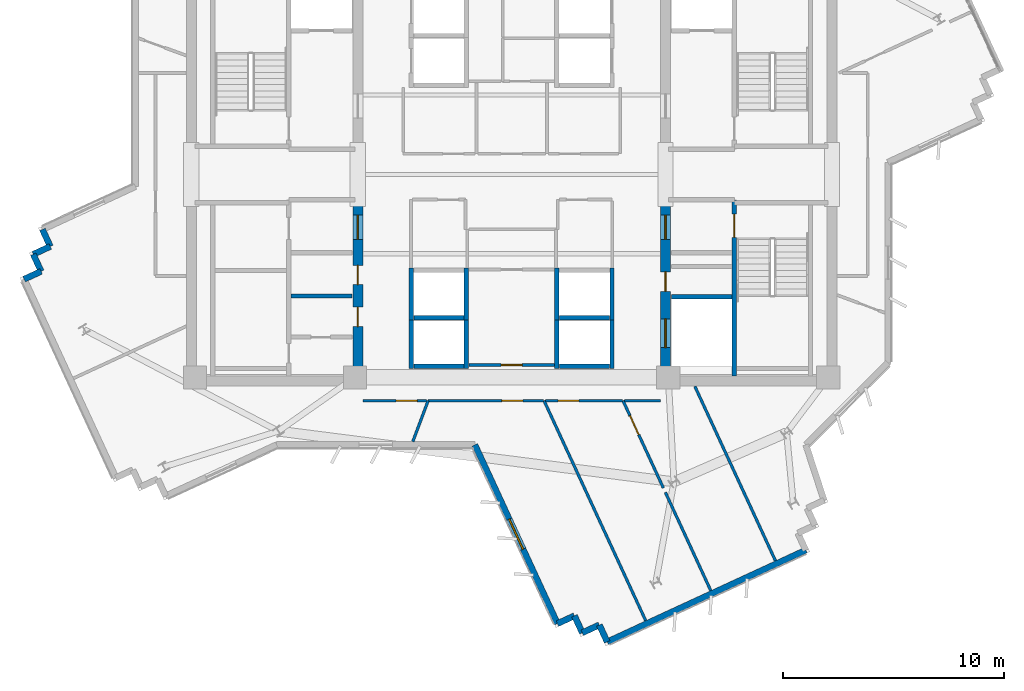
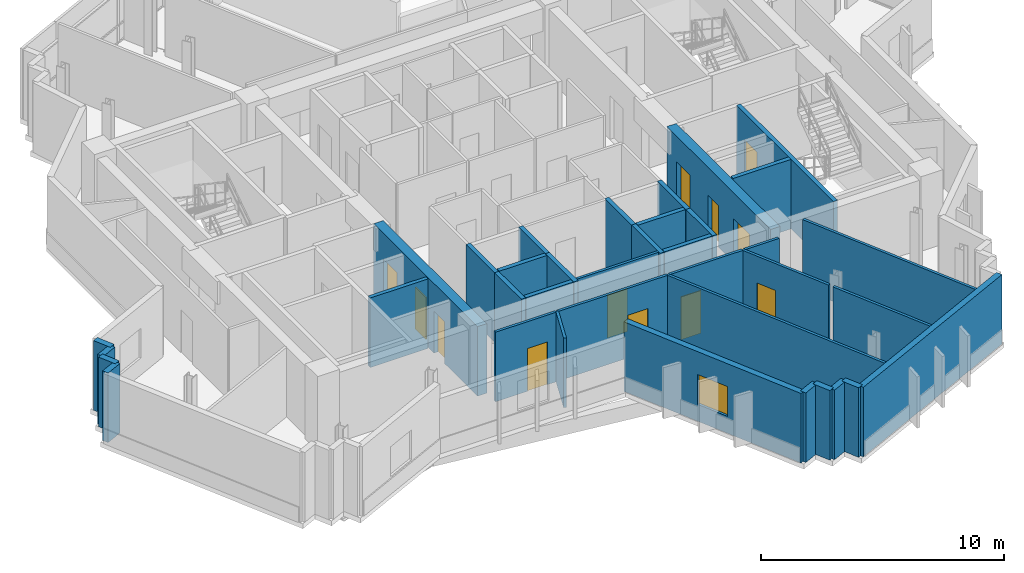
# One storey, part 5 of 12: 37 walls, 12 doors, 1 window, 13 openings.
"""IFC4 building model written with IfcOpenShell, lengths in metres."""

from ifc_helpers import new_model, si_unit, direction, frame, frame_2d, origin, place, context, subcontext, project, spatial, rectangle, extrude, source, transform, mapped, material, layer, layer_set, type_object, element, fill, save


model = new_model("IFC4")

# Units and contexts
model_context = context("Model", 3, precision=1e-05, world=origin(), true_north=direction((0.0, 1.0)))
body_context = subcontext(model_context, "Body", "Model", "MODEL_VIEW")
ifc_project = project(units=[si_unit("LENGTHUNIT", "METRE"), si_unit("AREAUNIT", "SQUARE_METRE"), si_unit("VOLUMEUNIT", "CUBIC_METRE"), si_unit("PLANEANGLEUNIT", "RADIAN"), si_unit("MASSUNIT", "GRAM", prefix="KILO")], contexts=[model_context])

# Site, building, storey
site_placement = place(None, origin())
site = spatial("IfcSite", under=ifc_project, at=site_placement, CompositionType="ELEMENT")
building_placement = place(site_placement, origin())
building = spatial("IfcBuilding", under=site, at=building_placement, Name="Zahravan Cultural Tower", CompositionType="ELEMENT")
storey_placement = place(building_placement, frame((0.0, 0.0, 239.10009765625)))
storey = spatial("IfcBuildingStorey", under=building, at=storey_placement, Name="L56", CompositionType="ELEMENT", Elevation=239.10009765625)

# Wall, openings, doors
ifc_material_1 = material(Name="Concrete C50/60", Category="concrete")
ifc_layer_1 = layer(ifc_material_1, 0.449951171875)
ifc_layer_set_1 = layer_set([ifc_layer_1], Name="Concrete C50/60")
wall_type_1 = type_object("IfcWallType", Name="CW-SHEAR-450-C50", PredefinedType="SHEAR", material=ifc_layer_set_1)
wall_1_placement = place(storey_placement, frame((29.02490234375, 17.39990234375, 0.0), z_axis=(0.0, 0.0, 1.0), x_axis=(0.0, 1.0, 0.0)))
wall_1 = element("IfcWall", 1, at=wall_1_placement, inside=storey, type_object=wall_type_1, Name="L56 Core Shear Wall CW-W-ES-L56", PredefinedType="SHEAR", context=body_context, shape_type="SweptSolid", body=[
    extrude(rectangle(XDim=8.550048828125, YDim=0.449951171875, at=frame_2d((4.27490234375, 0.0))), origin(), (0.0, 0.0, 1.0), 3.5),
])
opening_1_placement = place(wall_1_placement, frame((6.64990234375, 0.0, 0.0)))
opening_1 = element("IfcOpeningElement", 2, at=opening_1_placement, cuts=wall_1, Name="Opening D-L56-08", PredefinedType="OPENING", context=body_context, shape_type="SweptSolid", body=[
    extrude(rectangle(XDim=1.10009765625, YDim=2.199951171875, at=frame_2d((0.550048828125, 1.10009765625))), frame((0.0, 0.23486328125, 0.0), z_axis=(0.0, -1.0, 0.0), x_axis=(1.0, 0.0, 0.0)), (0.0, 0.0, 1.0), 0.469970703125),
])
opening_2_placement = place(wall_1_placement, frame((2.699951171875, 0.0, 0.0)))
opening_2 = element("IfcOpeningElement", 3, at=opening_2_placement, cuts=wall_1, Name="Opening D-L56-11", PredefinedType="OPENING", context=body_context, shape_type="SweptSolid", body=[
    extrude(rectangle(XDim=0.8798828125, YDim=2.10009765625, at=frame_2d((0.43994140625, 1.050048828125))), frame((0.0, 0.23486328125, 0.0), z_axis=(0.0, -1.0, 0.0), x_axis=(1.0, 0.0, 0.0)), (0.0, 0.0, 1.0), 0.469970703125),
])
opening_3_placement = place(wall_1_placement, frame((4.60009765625, 0.0, 0.0)))
opening_3 = element("IfcOpeningElement", 4, at=opening_3_placement, cuts=wall_1, Name="Opening D-L56-12", PredefinedType="OPENING", context=body_context, shape_type="SweptSolid", body=[
    extrude(rectangle(XDim=0.8798828125, YDim=2.10009765625, at=frame_2d((0.43994140625, 1.050048828125))), frame((0.0, 0.23486328125, 0.0), z_axis=(0.0, -1.0, 0.0), x_axis=(1.0, 0.0, 0.0)), (0.0, 0.0, 1.0), 0.469970703125),
])
ifc_material_2 = material(Name="Steel ASTM A572 Grade 50", Category="steel")
door_type_1 = type_object("IfcDoorType", Name="DR-LOBBY-1100", OperationType="NOTDEFINED", PredefinedType="DOOR", material=ifc_material_2)
shared_shape_1 = source(origin(), body_context, "Body", "SweptSolid", [
    extrude(rectangle(XDim=1.10009765625, YDim=2.199951171875, at=frame_2d((0.550048828125, 1.10009765625))), frame((0.0, 0.02490234375, 0.0), z_axis=(0.0, -1.0, 0.0), x_axis=(1.0, 0.0, 0.0)), (0.0, 0.0, 1.0), 0.050048828125),
])
door_1_placement = place(opening_1_placement, origin())
door_1 = element("IfcDoor", 5, at=door_1_placement, inside=storey, type_object=door_type_1, Name="L56 Door D-L56-08", OperationType="SINGLE_SWING_LEFT", OverallHeight=2.199951171875, OverallWidth=1.10009765625, PredefinedType="DOOR", context=body_context, shape_type="MappedRepresentation", body=[
    mapped(shared_shape_1, transform((0.0, 0.0, 0.0), x_axis=(1.0, 0.0, 0.0), y_axis=(0.0, 1.0, 0.0), z_axis=(0.0, 0.0, 1.0), scale=1.0)),
])
fill(opening_1, door_1)
door_type_2 = type_object("IfcDoorType", Name="DR-SVC-880", OperationType="NOTDEFINED", PredefinedType="DOOR", material=ifc_material_2)
shared_shape_2 = source(origin(), body_context, "Body", "SweptSolid", [
    extrude(rectangle(XDim=0.8798828125, YDim=2.10009765625, at=frame_2d((0.43994140625, 1.050048828125))), frame((0.0, 0.02490234375, 0.0), z_axis=(0.0, -1.0, 0.0), x_axis=(1.0, 0.0, 0.0)), (0.0, 0.0, 1.0), 0.050048828125),
])
door_2_placement = place(opening_2_placement, origin())
door_2 = element("IfcDoor", 6, at=door_2_placement, inside=storey, type_object=door_type_2, Name="L56 Door D-L56-11", OperationType="SINGLE_SWING_RIGHT", OverallHeight=2.10009765625, OverallWidth=0.8798828125, PredefinedType="DOOR", context=body_context, shape_type="MappedRepresentation", body=[
    mapped(shared_shape_2, transform((0.0, 0.0, 0.0), x_axis=(1.0, 0.0, 0.0), y_axis=(0.0, 1.0, 0.0), z_axis=(0.0, 0.0, 1.0), scale=1.0)),
])
fill(opening_2, door_2)
door_3_placement = place(opening_3_placement, origin())
door_3 = element("IfcDoor", 7, at=door_3_placement, inside=storey, type_object=door_type_2, Name="L56 Door D-L56-12", OperationType="SINGLE_SWING_LEFT", OverallHeight=2.10009765625, OverallWidth=0.8798828125, PredefinedType="DOOR", context=body_context, shape_type="MappedRepresentation", body=[
    mapped(shared_shape_2, transform((0.0, 0.0, 0.0), x_axis=(1.0, 0.0, 0.0), y_axis=(0.0, 1.0, 0.0), z_axis=(0.0, 0.0, 1.0), scale=1.0)),
])
fill(opening_3, door_3)

wall_2_placement = place(storey_placement, frame((42.97509765625, 17.39990234375, 0.0), z_axis=(0.0, 0.0, 1.0), x_axis=(0.0, 1.0, 0.0)))
wall_2 = element("IfcWall", 8, at=wall_2_placement, inside=storey, type_object=wall_type_1, Name="L56 Core Shear Wall CW-E-WS-L56", PredefinedType="SHEAR", context=body_context, shape_type="SweptSolid", body=[
    extrude(rectangle(XDim=8.550048828125, YDim=0.449951171875, at=frame_2d((4.27490234375, 0.0))), origin(), (0.0, 0.0, 1.0), 3.5),
])
opening_4_placement = place(wall_2_placement, frame((6.64990234375, 0.0, 0.0)))
opening_4 = element("IfcOpeningElement", 9, at=opening_4_placement, cuts=wall_2, Name="Opening D-L56-09", PredefinedType="OPENING", context=body_context, shape_type="SweptSolid", body=[
    extrude(rectangle(XDim=1.10009765625, YDim=2.199951171875, at=frame_2d((0.550048828125, 1.10009765625))), frame((0.0, 0.23486328125, 0.0), z_axis=(0.0, -1.0, 0.0), x_axis=(1.0, 0.0, 0.0)), (0.0, 0.0, 1.0), 0.469970703125),
])
opening_5_placement = place(wall_2_placement, frame((1.75, 0.0, 0.0)))
opening_5 = element("IfcOpeningElement", 10, at=opening_5_placement, cuts=wall_2, Name="Opening LD-L56-03", PredefinedType="OPENING", context=body_context, shape_type="SweptSolid", body=[
    extrude(rectangle(XDim=1.300048828125, YDim=2.199951171875, at=frame_2d((0.64990234375, 1.10009765625))), frame((0.0, 0.23486328125, 0.0), z_axis=(0.0, -1.0, 0.0), x_axis=(1.0, 0.0, 0.0)), (0.0, 0.0, 1.0), 0.469970703125),
])
opening_6_placement = place(wall_2_placement, frame((4.300048828125, 0.0, 0.0)))
opening_6 = element("IfcOpeningElement", 11, at=opening_6_placement, cuts=wall_2, Name="Opening D-L56-13", PredefinedType="OPENING", context=body_context, shape_type="SweptSolid", body=[
    extrude(rectangle(XDim=0.8798828125, YDim=2.10009765625, at=frame_2d((0.43994140625, 1.050048828125))), frame((0.0, 0.23486328125, 0.0), z_axis=(0.0, -1.0, 0.0), x_axis=(1.0, 0.0, 0.0)), (0.0, 0.0, 1.0), 0.469970703125),
])
door_4_placement = place(opening_4_placement, origin())
door_4 = element("IfcDoor", 12, at=door_4_placement, inside=storey, type_object=door_type_1, Name="L56 Door D-L56-09", OperationType="SINGLE_SWING_RIGHT", OverallHeight=2.199951171875, OverallWidth=1.10009765625, PredefinedType="DOOR", context=body_context, shape_type="MappedRepresentation", body=[
    mapped(shared_shape_1, transform((0.0, 0.0, 0.0), x_axis=(1.0, 0.0, 0.0), y_axis=(0.0, 1.0, 0.0), z_axis=(0.0, 0.0, 1.0), scale=1.0)),
])
fill(opening_4, door_4)
door_type_3 = type_object("IfcDoorType", Name="DR-LIFT-1300", OperationType="DOUBLE_DOOR_SLIDING", PredefinedType="DOOR", material=ifc_material_2)
shared_shape_3 = source(origin(), body_context, "Body", "SweptSolid", [
    extrude(rectangle(XDim=1.300048828125, YDim=2.199951171875, at=frame_2d((0.64990234375, 1.10009765625))), frame((0.0, 0.02490234375, 0.0), z_axis=(0.0, -1.0, 0.0), x_axis=(1.0, 0.0, 0.0)), (0.0, 0.0, 1.0), 0.050048828125),
])
door_5_placement = place(opening_5_placement, origin())
door_5 = element("IfcDoor", 13, at=door_5_placement, inside=storey, type_object=door_type_3, Name="L56 Door LD-L56-03", OperationType="DOUBLE_DOOR_SLIDING", OverallHeight=2.199951171875, OverallWidth=1.300048828125, PredefinedType="DOOR", context=body_context, shape_type="MappedRepresentation", body=[
    mapped(shared_shape_3, transform((0.0, 0.0, 0.0), x_axis=(1.0, 0.0, 0.0), y_axis=(0.0, 1.0, 0.0), z_axis=(0.0, 0.0, 1.0), scale=1.0)),
])
fill(opening_5, door_5)
door_6_placement = place(opening_6_placement, origin())
door_6 = element("IfcDoor", 14, at=door_6_placement, inside=storey, type_object=door_type_2, Name="L56 Door D-L56-13", OperationType="SINGLE_SWING_RIGHT", OverallHeight=2.10009765625, OverallWidth=0.8798828125, PredefinedType="DOOR", context=body_context, shape_type="MappedRepresentation", body=[
    mapped(shared_shape_2, transform((0.0, 0.0, 0.0), x_axis=(1.0, 0.0, 0.0), y_axis=(0.0, 1.0, 0.0), z_axis=(0.0, 0.0, 1.0), scale=1.0)),
])
fill(opening_6, door_6)

# Wall, opening, window
ifc_material_3 = material(Name="Precast concrete C40/50", Category="concrete")
ifc_layer_2 = layer(ifc_material_3, 0.280029296875)
ifc_layer_set_2 = layer_set([ifc_layer_2], Name="Precast concrete C40/50")
wall_type_2 = type_object("IfcWallType", Name="EW-TC-280", PredefinedType="SOLIDWALL", material=ifc_layer_set_2)
wall_3_placement = place(storey_placement, frame((38.07470703125, 6.6318359375, 0.0), z_axis=(0.0, 0.0, 1.0), x_axis=(-0.419437747849, 0.90778410191, 0.0)))
wall_3 = element("IfcWall", 15, at=wall_3_placement, inside=storey, type_object=wall_type_2, Name="L56 Exterior Masonry Frame Wall 23", PredefinedType="SOLIDWALL", context=body_context, shape_type="SweptSolid", body=[
    extrude(rectangle(XDim=8.931884765625, YDim=0.280029296875, at=frame_2d((4.4658203125, 0.0))), origin(), (0.0, 0.0, 1.0), 3.5),
])
opening_7_placement = place(wall_3_placement, frame((3.716064453125, 0.0, 0.85009765625)))
opening_7 = element("IfcOpeningElement", 16, at=opening_7_placement, cuts=wall_3, Name="Opening WN-03", PredefinedType="OPENING", context=body_context, shape_type="SweptSolid", body=[
    extrude(rectangle(XDim=1.5, YDim=1.5, at=frame_2d((0.75, 0.75))), frame((0.0, 0.14990234375, 0.0), z_axis=(0.0, -1.0, 0.0), x_axis=(1.0, 0.0, 0.0)), (0.0, 0.0, 1.0), 0.300048828125),
])
ifc_material_4 = material(Name="Low-E solar-control double glazing", Category="glass")
window_type = type_object("IfcWindowType", Name="WN-REC-1500X1500", PartitioningType="SINGLE_PANEL", PredefinedType="WINDOW", material=ifc_material_4)
shared_shape_4 = source(origin(), body_context, "Body", "SweptSolid", [
    extrude(rectangle(XDim=1.5, YDim=1.5, at=frame_2d((0.75, 0.75))), frame((0.0, 0.030029296875, 0.0), z_axis=(0.0, -1.0, 0.0), x_axis=(1.0, 0.0, 0.0)), (0.0, 0.0, 1.0), 0.06005859375),
])
window_placement = place(opening_7_placement, origin())
window = element("IfcWindow", 17, at=window_placement, inside=storey, type_object=window_type, Name="L56 Recessed Solar Window 05", OverallHeight=1.5, OverallWidth=1.5, PartitioningType="SINGLE_PANEL", PredefinedType="WINDOW", context=body_context, shape_type="MappedRepresentation", body=[
    mapped(shared_shape_4, transform((0.0, 0.0, 0.0), x_axis=(1.0, 0.0, 0.0), y_axis=(0.0, 1.0, 0.0), z_axis=(0.0, 0.0, 1.0), scale=1.0)),
])
fill(opening_7, window)

# Wall, opening, door
ifc_material_5 = material(Name="Gypsum plasterboard partition")
ifc_layer_3 = layer(ifc_material_5, 0.125)
ifc_layer_set_3 = layer_set([ifc_layer_3], Name="Gypsum plasterboard partition")
wall_type_3 = type_object("IfcWallType", Name="W-PART-125", PredefinedType="PARTITIONING", material=ifc_layer_set_3)
wall_4_placement = place(storey_placement, frame((37.945068359375, 18.360107421875, 0.0), z_axis=(0.0, 0.0, 1.0), x_axis=(-1.0, 0.0, 0.0)))
wall_4 = element("IfcWall", 18, at=wall_4_placement, inside=storey, type_object=wall_type_3, Name="L56 Interior Wall 082", PredefinedType="PARTITIONING", context=body_context, shape_type="SweptSolid", body=[
    extrude(rectangle(XDim=3.89013671875, YDim=0.125, at=frame_2d((1.945068359375, 0.0))), origin(), (0.0, 0.0, 1.0), 3.5),
])
opening_8_placement = place(wall_4_placement, frame((1.469970703125, 0.0, 0.0)))
opening_8 = element("IfcOpeningElement", 19, at=opening_8_placement, cuts=wall_4, Name="Opening D-L56-21", PredefinedType="OPENING", context=body_context, shape_type="SweptSolid", body=[
    extrude(rectangle(XDim=0.949951171875, YDim=2.14990234375, at=frame_2d((0.47509765625, 1.074951171875))), frame((0.0, 0.072509765625, 0.0), z_axis=(0.0, -1.0, 0.0), x_axis=(1.0, 0.0, 0.0)), (0.0, 0.0, 1.0), 0.14501953125),
])
ifc_material_6 = material(Name="Anodised bronze-aluminium mullion", Category="aluminium")
door_type_4 = type_object("IfcDoorType", Name="DR-ROOM-950", OperationType="NOTDEFINED", PredefinedType="DOOR", material=ifc_material_6)
shared_shape_5 = source(origin(), body_context, "Body", "SweptSolid", [
    extrude(rectangle(XDim=0.949951171875, YDim=2.14990234375, at=frame_2d((0.47509765625, 1.074951171875))), frame((0.0, 0.02490234375, 0.0), z_axis=(0.0, -1.0, 0.0), x_axis=(1.0, 0.0, 0.0)), (0.0, 0.0, 1.0), 0.050048828125),
])
door_7_placement = place(opening_8_placement, origin())
door_7 = element("IfcDoor", 20, at=door_7_placement, inside=storey, type_object=door_type_4, Name="L56 Door D-L56-21", OperationType="SINGLE_SWING_RIGHT", OverallHeight=2.14990234375, OverallWidth=0.949951171875, PredefinedType="DOOR", context=body_context, shape_type="MappedRepresentation", body=[
    mapped(shared_shape_5, transform((0.0, 0.0, 0.0), x_axis=(1.0, 0.0, 0.0), y_axis=(0.0, 1.0, 0.0), z_axis=(0.0, 0.0, 1.0), scale=1.0)),
])
fill(opening_8, door_7)

wall_5_placement = place(storey_placement, frame((42.877197265625, 12.78369140625, 0.0), z_axis=(0.0, 0.0, 1.0), x_axis=(-0.419416941906, 0.907793714917, 0.0)))
wall_5 = element("IfcWall", 21, at=wall_5_placement, inside=storey, type_object=wall_type_3, Name="L56 Interior Wall 088", PredefinedType="PARTITIONING", context=body_context, shape_type="SweptSolid", body=[
    extrude(rectangle(XDim=4.358154296875, YDim=0.125, at=frame_2d((2.17919921875, 0.0))), origin(), (0.0, 0.0, 1.0), 3.5),
])
opening_9_placement = place(wall_5_placement, frame((2.658203125, 0.0, 0.0)))
opening_9 = element("IfcOpeningElement", 22, at=opening_9_placement, cuts=wall_5, Name="Opening D-L56-34", PredefinedType="OPENING", context=body_context, shape_type="SweptSolid", body=[
    extrude(rectangle(XDim=0.949951171875, YDim=2.14990234375, at=frame_2d((0.47509765625, 1.074951171875))), frame((0.0, 0.072509765625, 0.0), z_axis=(0.0, -1.0, 0.0), x_axis=(1.0, 0.0, 0.0)), (0.0, 0.0, 1.0), 0.14501953125),
])
door_8_placement = place(opening_9_placement, origin())
door_8 = element("IfcDoor", 23, at=door_8_placement, inside=storey, type_object=door_type_4, Name="L56 Door D-L56-34", OperationType="SINGLE_SWING_LEFT", OverallHeight=2.14990234375, OverallWidth=0.949951171875, PredefinedType="DOOR", context=body_context, shape_type="MappedRepresentation", body=[
    mapped(shared_shape_5, transform((0.0, 0.0, 0.0), x_axis=(1.0, 0.0, 0.0), y_axis=(0.0, 1.0, 0.0), z_axis=(0.0, 0.0, 1.0), scale=1.0)),
])
fill(opening_9, door_8)

wall_6_placement = place(storey_placement, frame((37.54345703125, 16.739990234375, 0.0), z_axis=(0.0, 0.0, 1.0), x_axis=(1.0, 0.0, 0.0)))
wall_6 = element("IfcWall", 24, at=wall_6_placement, inside=storey, type_object=wall_type_3, Name="L56 Interior Wall 092", PredefinedType="PARTITIONING", context=body_context, shape_type="SweptSolid", body=[
    extrude(rectangle(XDim=3.483642578125, YDim=0.125, at=frame_2d((1.74169921875, 0.0))), origin(), (0.0, 0.0, 1.0), 3.5),
])
opening_10_placement = place(wall_6_placement, frame((0.557373046875, 0.0, 0.0)))
opening_10 = element("IfcOpeningElement", 25, at=opening_10_placement, cuts=wall_6, Name="Opening D-L56-29", PredefinedType="OPENING", context=body_context, shape_type="SweptSolid", body=[
    extrude(rectangle(XDim=0.949951171875, YDim=2.14990234375, at=frame_2d((0.47509765625, 1.074951171875))), frame((0.0, 0.072509765625, 0.0), z_axis=(0.0, -1.0, 0.0), x_axis=(1.0, 0.0, 0.0)), (0.0, 0.0, 1.0), 0.14501953125),
])
door_9_placement = place(opening_10_placement, origin())
door_9 = element("IfcDoor", 26, at=door_9_placement, inside=storey, type_object=door_type_4, Name="L56 Door D-L56-29", OperationType="SINGLE_SWING_RIGHT", OverallHeight=2.14990234375, OverallWidth=0.949951171875, PredefinedType="DOOR", context=body_context, shape_type="MappedRepresentation", body=[
    mapped(shared_shape_5, transform((0.0, 0.0, 0.0), x_axis=(1.0, 0.0, 0.0), y_axis=(0.0, 1.0, 0.0), z_axis=(0.0, 0.0, 1.0), scale=1.0)),
])
fill(opening_10, door_9)

wall_7_placement = place(storey_placement, frame((32.211181640625, 16.739990234375, 0.0), z_axis=(0.0, 0.0, 1.0), x_axis=(1.0, 0.0, 0.0)))
wall_7 = element("IfcWall", 27, at=wall_7_placement, inside=storey, type_object=wall_type_3, Name="L56 Interior Wall 108", PredefinedType="PARTITIONING", context=body_context, shape_type="SweptSolid", body=[
    extrude(rectangle(XDim=5.23583984375, YDim=0.125, at=frame_2d((2.617919921875, 0.0))), origin(), (0.0, 0.0, 1.0), 3.5),
])
opening_11_placement = place(wall_7_placement, frame((3.343017578125, 0.0, 0.0)))
opening_11 = element("IfcOpeningElement", 28, at=opening_11_placement, cuts=wall_7, Name="Opening D-L56-28", PredefinedType="OPENING", context=body_context, shape_type="SweptSolid", body=[
    extrude(rectangle(XDim=0.949951171875, YDim=2.14990234375, at=frame_2d((0.47509765625, 1.074951171875))), frame((0.0, 0.072509765625, 0.0), z_axis=(0.0, -1.0, 0.0), x_axis=(1.0, 0.0, 0.0)), (0.0, 0.0, 1.0), 0.14501953125),
])
door_10_placement = place(opening_11_placement, origin())
door_10 = element("IfcDoor", 29, at=door_10_placement, inside=storey, type_object=door_type_4, Name="L56 Door D-L56-28", OperationType="SINGLE_SWING_LEFT", OverallHeight=2.14990234375, OverallWidth=0.949951171875, PredefinedType="DOOR", context=body_context, shape_type="MappedRepresentation", body=[
    mapped(shared_shape_5, transform((0.0, 0.0, 0.0), x_axis=(1.0, 0.0, 0.0), y_axis=(0.0, 1.0, 0.0), z_axis=(0.0, 0.0, 1.0), scale=1.0)),
])
fill(opening_11, door_10)

wall_8_placement = place(storey_placement, frame((29.25341796875, 16.7412109375, 0.0), z_axis=(0.0, 0.0, 1.0), x_axis=(0.999999910531, -0.000423011806, 0.0)))
wall_8 = element("IfcWall", 30, at=wall_8_placement, inside=storey, type_object=wall_type_3, Name="L56 Interior Wall 114", PredefinedType="PARTITIONING", context=body_context, shape_type="SweptSolid", body=[
    extrude(rectangle(XDim=2.8857421875, YDim=0.125, at=frame_2d((1.44287109375, 0.0))), origin(), (0.0, 0.0, 1.0), 3.5),
])
opening_12_placement = place(wall_8_placement, frame((1.510009765625, 0.0, 0.0)))
opening_12 = element("IfcOpeningElement", 31, at=opening_12_placement, cuts=wall_8, Name="Opening D-L56-27", PredefinedType="OPENING", context=body_context, shape_type="SweptSolid", body=[
    extrude(rectangle(XDim=0.949951171875, YDim=2.14990234375, at=frame_2d((0.47509765625, 1.074951171875))), frame((0.0, 0.072509765625, 0.0), z_axis=(0.0, -1.0, 0.0), x_axis=(1.0, 0.0, 0.0)), (0.0, 0.0, 1.0), 0.14501953125),
])
door_11_placement = place(opening_12_placement, origin())
door_11 = element("IfcDoor", 32, at=door_11_placement, inside=storey, type_object=door_type_4, Name="L56 Door D-L56-27", OperationType="SINGLE_SWING_RIGHT", OverallHeight=2.14990234375, OverallWidth=0.949951171875, PredefinedType="DOOR", context=body_context, shape_type="MappedRepresentation", body=[
    mapped(shared_shape_5, transform((0.0, 0.0, 0.0), x_axis=(1.0, 0.0, 0.0), y_axis=(0.0, 1.0, 0.0), z_axis=(0.0, 0.0, 1.0), scale=1.0)),
])
fill(opening_12, door_11)

ifc_material_7 = material(Name="Concrete C45/55", Category="concrete")
ifc_layer_4 = layer(ifc_material_7, 0.199951171875)
ifc_layer_set_4 = layer_set([ifc_layer_4], Name="Concrete C45/55")
wall_type_4 = type_object("IfcWallType", Name="W-SHAFT-200", PredefinedType="SOLIDWALL", material=ifc_layer_set_4)
wall_9_placement = place(storey_placement, frame((46.10009765625, 17.85009765625, 0.0), z_axis=(0.0, 0.0, 1.0), x_axis=(0.0, 1.0, 0.0)))
wall_9 = element("IfcWall", 33, at=wall_9_placement, inside=storey, type_object=wall_type_4, Name="L56 Interior Wall 007", PredefinedType="SOLIDWALL", context=body_context, shape_type="SweptSolid", body=[
    extrude(rectangle(XDim=8.0, YDim=0.199951171875, at=frame_2d((4.0, 0.0))), origin(), (0.0, 0.0, 1.0), 3.5),
])
opening_13_placement = place(wall_9_placement, frame((6.300048828125, 0.0, 0.0)))
opening_13 = element("IfcOpeningElement", 34, at=opening_13_placement, cuts=wall_9, Name="Opening D-L56-03", PredefinedType="OPENING", context=body_context, shape_type="SweptSolid", body=[
    extrude(rectangle(XDim=1.050048828125, YDim=2.14990234375, at=frame_2d((0.52490234375, 1.074951171875))), frame((0.0, 0.10986328125, 0.0), z_axis=(0.0, -1.0, 0.0), x_axis=(1.0, 0.0, 0.0)), (0.0, 0.0, 1.0), 0.219970703125),
])
door_type_5 = type_object("IfcDoorType", Name="DR-STAIR-1050", OperationType="NOTDEFINED", PredefinedType="DOOR", material=ifc_material_2)
shared_shape_6 = source(origin(), body_context, "Body", "SweptSolid", [
    extrude(rectangle(XDim=1.050048828125, YDim=2.14990234375, at=frame_2d((0.52490234375, 1.074951171875))), frame((0.0, 0.02490234375, 0.0), z_axis=(0.0, -1.0, 0.0), x_axis=(1.0, 0.0, 0.0)), (0.0, 0.0, 1.0), 0.050048828125),
])
door_12_placement = place(opening_13_placement, origin())
door_12 = element("IfcDoor", 35, at=door_12_placement, inside=storey, type_object=door_type_5, Name="L56 Door D-L56-03", OperationType="SINGLE_SWING_RIGHT", OverallHeight=2.14990234375, OverallWidth=1.050048828125, PredefinedType="DOOR", context=body_context, shape_type="MappedRepresentation", body=[
    mapped(shared_shape_6, transform((0.0, 0.0, 0.0), x_axis=(1.0, 0.0, 0.0), y_axis=(0.0, 1.0, 0.0), z_axis=(0.0, 0.0, 1.0), scale=1.0)),
])
fill(opening_13, door_12)

# Walls
shared_shape_7 = source(origin(), body_context, "Body", "SweptSolid", [
    extrude(rectangle(XDim=0.85009765625, YDim=0.280029296875, at=frame_2d((0.425048828125, 0.0))), origin(), (0.0, 0.0, 1.0), 3.5),
])
for number, where, z_axis, x_axis, name in (
    (36, (39.974609375, 6.5732421875, 0.0), (0.0, 0.0, 1.0), (-0.907841666427, -0.419313139191, 0.0), "L56 Exterior Masonry Frame Wall 20"),
    (37, (38.846435546875, 6.98828125, 0.0), (0.0, 0.0, 1.0), (-0.907841666427, -0.419313139191, 0.0), "L56 Exterior Masonry Frame Wall 22"),
    (38, (13.893798828125, 22.24951171875, 0.0), (0.0, 0.0, 1.0), (0.907841666427, 0.419313139191, 0.0), "L56 Exterior Masonry Frame Wall 31"),
    (39, (14.66552734375, 22.60595703125, 0.0), (0.0, 0.0, 1.0), (-0.419313139191, 0.907841666427, 0.0), "L56 Exterior Masonry Frame Wall 32"),
):
    element("IfcWall", number, at=place(storey_placement, frame(where, z_axis=z_axis, x_axis=x_axis)), inside=storey, type_object=wall_type_2, Name=name, PredefinedType="SOLIDWALL", context=body_context, shape_type="MappedRepresentation", body=[
        mapped(shared_shape_7, transform((0.0, 0.0, 0.0), x_axis=(1.0, 0.0, 0.0), y_axis=(0.0, 1.0, 0.0), z_axis=(0.0, 0.0, 1.0), scale=1.0)),
    ])
shared_shape_8 = source(origin(), body_context, "Body", "SweptSolid", [
    extrude(rectangle(XDim=0.849853515625, YDim=0.280029296875, at=frame_2d((0.4248046875, 0.0))), origin(), (0.0, 0.0, 1.0), 3.5),
])
for number, where, z_axis, x_axis, name in (
    (40, (40.3310546875, 5.8017578125, 0.0), (0.0, 0.0, 1.0), (-0.419422493365, 0.907791150023, 0.0), "L56 Exterior Masonry Frame Wall 19"),
    (41, (39.202880859375, 6.216796875, 0.0), (0.0, 0.0, 1.0), (-0.419422493365, 0.907791150023, 0.0), "L56 Exterior Masonry Frame Wall 21"),
    (42, (14.30908203125, 23.377685546875, 0.0), (0.0, 0.0, 1.0), (0.907791150023, 0.419422493365, 0.0), "L56 Exterior Masonry Frame Wall 33"),
    (43, (15.08056640625, 23.734130859375, 0.0), (0.0, 0.0, 1.0), (-0.419422493365, 0.907791150023, 0.0), "L56 Exterior Masonry Frame Wall 34"),
):
    element("IfcWall", number, at=place(storey_placement, frame(where, z_axis=z_axis, x_axis=x_axis)), inside=storey, type_object=wall_type_2, Name=name, PredefinedType="SOLIDWALL", context=body_context, shape_type="MappedRepresentation", body=[
        mapped(shared_shape_8, transform((0.0, 0.0, 0.0), x_axis=(1.0, 0.0, 0.0), y_axis=(0.0, 1.0, 0.0), z_axis=(0.0, 0.0, 1.0), scale=1.0)),
    ])
shared_shape_9 = source(origin(), body_context, "Body", "SweptSolid", [
    extrude(rectangle(XDim=9.919921875, YDim=0.280029296875, at=frame_2d((4.9599609375, 0.0))), origin(), (0.0, 0.0, 1.0), 3.5),
])
wall_10_placement = place(storey_placement, frame((49.336181640625, 9.962646484375, 0.0), z_axis=(0.0, 0.0, 1.0), x_axis=(-0.907779940536, -0.419446754143, 0.0)))
element("IfcWall", 44, at=wall_10_placement, inside=storey, type_object=wall_type_2, Name="L56 Exterior Masonry Frame Wall 18", PredefinedType="SOLIDWALL", context=body_context, shape_type="MappedRepresentation", body=[
    mapped(shared_shape_9, transform((0.0, 0.0, 0.0), x_axis=(1.0, 0.0, 0.0), y_axis=(0.0, 1.0, 0.0), z_axis=(0.0, 0.0, 1.0), scale=1.0)),
])
shared_shape_10 = source(origin(), body_context, "Body", "SweptSolid", [
    extrude(rectangle(XDim=2.75, YDim=0.199951171875, at=frame_2d((1.375, 0.0))), origin(), (0.0, 0.0, 1.0), 3.5),
])
wall_11_placement = place(storey_placement, frame((43.25, 21.449951171875, 0.0), z_axis=(0.0, 0.0, 1.0), x_axis=(1.0, 0.0, 0.0)))
element("IfcWall", 45, at=wall_11_placement, inside=storey, type_object=wall_type_4, Name="L56 Interior Wall 026", PredefinedType="SOLIDWALL", context=body_context, shape_type="MappedRepresentation", body=[
    mapped(shared_shape_10, transform((0.0, 0.0, 0.0), x_axis=(1.0, 0.0, 0.0), y_axis=(0.0, 1.0, 0.0), z_axis=(0.0, 0.0, 1.0), scale=1.0)),
])
ifc_layer_5 = layer(ifc_material_5, 0.179931640625)
ifc_layer_set_5 = layer_set([ifc_layer_5], Name="Gypsum plasterboard partition")
wall_type_5 = type_object("IfcWallType", Name="W-COMP-180", PredefinedType="PARTITIONING", material=ifc_layer_set_5)
shared_shape_11 = source(origin(), body_context, "Body", "SweptSolid", [
    extrude(rectangle(XDim=2.75, YDim=0.179931640625, at=frame_2d((1.375, 0.0))), origin(), (0.0, 0.0, 1.0), 3.5),
])
wall_12_placement = place(storey_placement, frame((26.0, 21.47998046875, 0.0), z_axis=(0.0, 0.0, 1.0), x_axis=(1.0, 0.0, 0.0)))
element("IfcWall", 46, at=wall_12_placement, inside=storey, type_object=wall_type_5, Name="L56 Interior Wall 028", PredefinedType="PARTITIONING", context=body_context, shape_type="MappedRepresentation", body=[
    mapped(shared_shape_11, transform((0.0, 0.0, 0.0), x_axis=(1.0, 0.0, 0.0), y_axis=(0.0, 1.0, 0.0), z_axis=(0.0, 0.0, 1.0), scale=1.0)),
])
shared_shape_12 = source(origin(), body_context, "Body", "SweptSolid", [
    extrude(rectangle(XDim=2.260009765625, YDim=0.199951171875, at=frame_2d((1.1298828125, 0.0))), origin(), (0.0, 0.0, 1.0), 3.5),
])
for number, where, z_axis, x_axis, name in (
    (47, (31.570068359375, 20.5, 0.0), (0.0, 0.0, 1.0), (1.0, 0.0, 0.0), "L56 Interior Wall 046"),
    (48, (31.570068359375, 18.300048828125, 0.0), (0.0, 0.0, 1.0), (1.0, 0.0, 0.0), "L56 Interior Wall 050"),
    (49, (38.169921875, 20.5, 0.0), (0.0, 0.0, 1.0), (1.0, 0.0, 0.0), "L56 Interior Wall 053"),
    (50, (38.169921875, 18.300048828125, 0.0), (0.0, 0.0, 1.0), (1.0, 0.0, 0.0), "L56 Interior Wall 057"),
):
    element("IfcWall", number, at=place(storey_placement, frame(where, z_axis=z_axis, x_axis=x_axis)), inside=storey, type_object=wall_type_4, Name=name, PredefinedType="SOLIDWALL", context=body_context, shape_type="MappedRepresentation", body=[
        mapped(shared_shape_12, transform((0.0, 0.0, 0.0), x_axis=(1.0, 0.0, 0.0), y_axis=(0.0, 1.0, 0.0), z_axis=(0.0, 0.0, 1.0), scale=1.0)),
    ])
shared_shape_13 = source(origin(), body_context, "Body", "SweptSolid", [
    extrude(rectangle(XDim=2.35009765625, YDim=0.199951171875, at=frame_2d((1.175048828125, 0.0))), origin(), (0.0, 0.0, 1.0), 3.5),
])
for number, where, z_axis, x_axis, name in (
    (51, (31.449951171875, 20.39990234375, 0.0), (0.0, 0.0, 1.0), (0.0, 1.0, 0.0), "L56 Interior Wall 044"),
    (52, (33.949951171875, 20.39990234375, 0.0), (0.0, 0.0, 1.0), (0.0, 1.0, 0.0), "L56 Interior Wall 045"),
    (53, (31.449951171875, 18.199951171875, 0.0), (0.0, 0.0, 1.0), (0.0, 1.0, 0.0), "L56 Interior Wall 048"),
    (54, (33.949951171875, 18.199951171875, 0.0), (0.0, 0.0, 1.0), (0.0, 1.0, 0.0), "L56 Interior Wall 049"),
    (55, (38.050048828125, 20.39990234375, 0.0), (0.0, 0.0, 1.0), (0.0, 1.0, 0.0), "L56 Interior Wall 051"),
    (56, (40.550048828125, 20.39990234375, 0.0), (0.0, 0.0, 1.0), (0.0, 1.0, 0.0), "L56 Interior Wall 052"),
    (57, (38.050048828125, 18.199951171875, 0.0), (0.0, 0.0, 1.0), (0.0, 1.0, 0.0), "L56 Interior Wall 055"),
    (58, (40.550048828125, 18.199951171875, 0.0), (0.0, 0.0, 1.0), (0.0, 1.0, 0.0), "L56 Interior Wall 056"),
):
    element("IfcWall", number, at=place(storey_placement, frame(where, z_axis=z_axis, x_axis=x_axis)), inside=storey, type_object=wall_type_4, Name=name, PredefinedType="SOLIDWALL", context=body_context, shape_type="MappedRepresentation", body=[
        mapped(shared_shape_13, transform((0.0, 0.0, 0.0), x_axis=(1.0, 0.0, 0.0), y_axis=(0.0, 1.0, 0.0), z_axis=(0.0, 0.0, 1.0), scale=1.0)),
    ])
shared_shape_14 = source(origin(), body_context, "Body", "SweptSolid", [
    extrude(rectangle(XDim=4.903564453125, YDim=0.125, at=frame_2d((2.45166015625, 0.0))), origin(), (0.0, 0.0, 1.0), 3.5),
])
wall_13_placement = place(storey_placement, frame((45.027099609375, 8.13134765625, 0.0), z_axis=(0.0, 0.0, 1.0), x_axis=(-0.419459107568, 0.907774232438, 0.0)))
element("IfcWall", 59, at=wall_13_placement, inside=storey, type_object=wall_type_3, Name="L56 Interior Wall 087", PredefinedType="PARTITIONING", context=body_context, shape_type="MappedRepresentation", body=[
    mapped(shared_shape_14, transform((0.0, 0.0, 0.0), x_axis=(1.0, 0.0, 0.0), y_axis=(0.0, 1.0, 0.0), z_axis=(0.0, 0.0, 1.0), scale=1.0)),
])
shared_shape_15 = source(origin(), body_context, "Body", "SweptSolid", [
    extrude(rectangle(XDim=1.623046875, YDim=0.125, at=frame_2d((0.8115234375, 0.0))), origin(), (0.0, 0.0, 1.0), 3.5),
])
wall_14_placement = place(storey_placement, frame((41.12353515625, 16.739990234375, 0.0), z_axis=(0.0, 0.0, 1.0), x_axis=(0.999999717168, 0.000752105684, 0.0)))
element("IfcWall", 60, at=wall_14_placement, inside=storey, type_object=wall_type_3, Name="L56 Interior Wall 089", PredefinedType="PARTITIONING", context=body_context, shape_type="MappedRepresentation", body=[
    mapped(shared_shape_15, transform((0.0, 0.0, 0.0), x_axis=(1.0, 0.0, 0.0), y_axis=(0.0, 1.0, 0.0), z_axis=(0.0, 0.0, 1.0), scale=1.0)),
])
shared_shape_16 = source(origin(), body_context, "Body", "SweptSolid", [
    extrude(rectangle(XDim=8.71240234375, YDim=0.125, at=frame_2d((4.356201171875, 0.0))), origin(), (0.0, 0.0, 1.0), 3.5),
])
wall_15_placement = place(storey_placement, frame((44.3046875, 17.39501953125, 0.0), z_axis=(0.0, 0.0, 1.0), x_axis=(0.419438424399, -0.907783789312, 0.0)))
element("IfcWall", 61, at=wall_15_placement, inside=storey, type_object=wall_type_3, Name="L56 Interior Wall 090", PredefinedType="PARTITIONING", context=body_context, shape_type="MappedRepresentation", body=[
    mapped(shared_shape_16, transform((0.0, 0.0, 0.0), x_axis=(1.0, 0.0, 0.0), y_axis=(0.0, 1.0, 0.0), z_axis=(0.0, 0.0, 1.0), scale=1.0)),
])
shared_shape_17 = source(origin(), body_context, "Body", "SweptSolid", [
    extrude(rectangle(XDim=10.98486328125, YDim=0.125, at=frame_2d((5.492431640625, 0.0))), origin(), (0.0, 0.0, 1.0), 3.5),
])
wall_16_placement = place(storey_placement, frame((42.07666015625, 6.76806640625, 0.0), z_axis=(0.0, 0.0, 1.0), x_axis=(-0.41945135704, 0.907777813717, 0.0)))
element("IfcWall", 62, at=wall_16_placement, inside=storey, type_object=wall_type_3, Name="L56 Interior Wall 091", PredefinedType="PARTITIONING", context=body_context, shape_type="MappedRepresentation", body=[
    mapped(shared_shape_17, transform((0.0, 0.0, 0.0), x_axis=(1.0, 0.0, 0.0), y_axis=(0.0, 1.0, 0.0), z_axis=(0.0, 0.0, 1.0), scale=1.0)),
])
shared_shape_18 = source(origin(), body_context, "Body", "SweptSolid", [
    extrude(rectangle(XDim=1.97998046875, YDim=0.125, at=frame_2d((0.989990234375, 0.0))), origin(), (0.0, 0.0, 1.0), 3.5),
])
wall_17_placement = place(storey_placement, frame((31.518798828125, 14.885009765625, 0.0), z_axis=(0.0, 0.0, 1.0), x_axis=(0.349690675255, 0.9368652153, 0.0)))
element("IfcWall", 63, at=wall_17_placement, inside=storey, type_object=wall_type_3, Name="L56 Interior Wall 109", PredefinedType="PARTITIONING", context=body_context, shape_type="MappedRepresentation", body=[
    mapped(shared_shape_18, transform((0.0, 0.0, 0.0), x_axis=(1.0, 0.0, 0.0), y_axis=(0.0, 1.0, 0.0), z_axis=(0.0, 0.0, 1.0), scale=1.0)),
])

save(model, "model.ifc")
